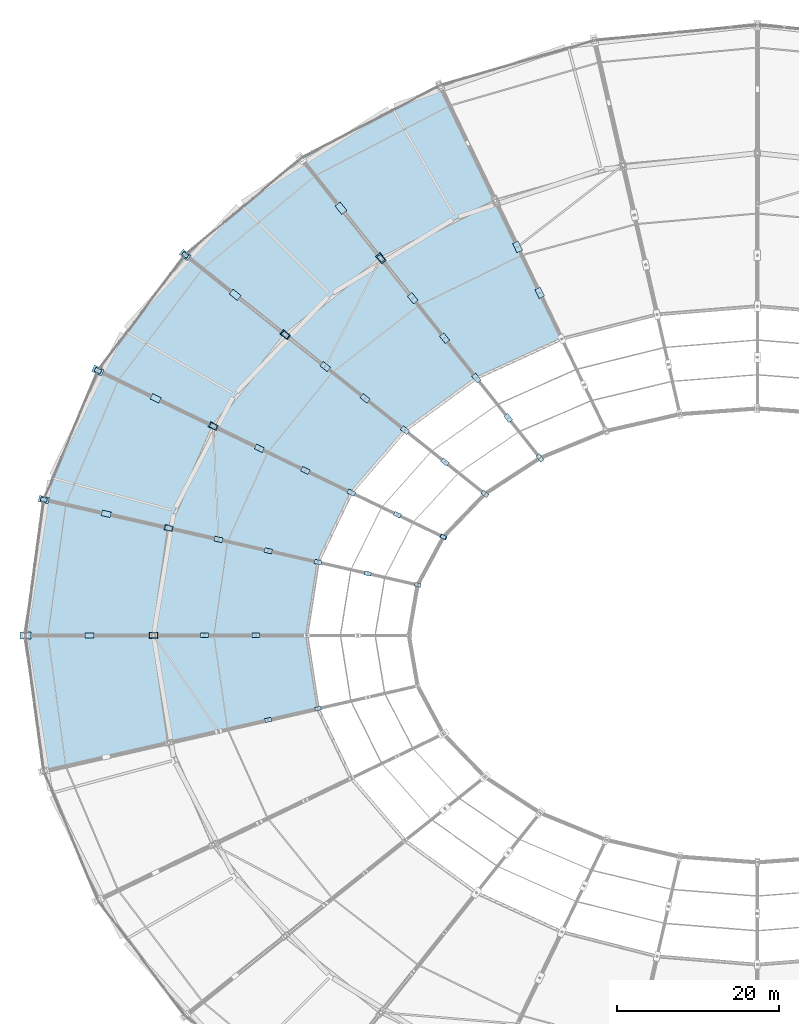
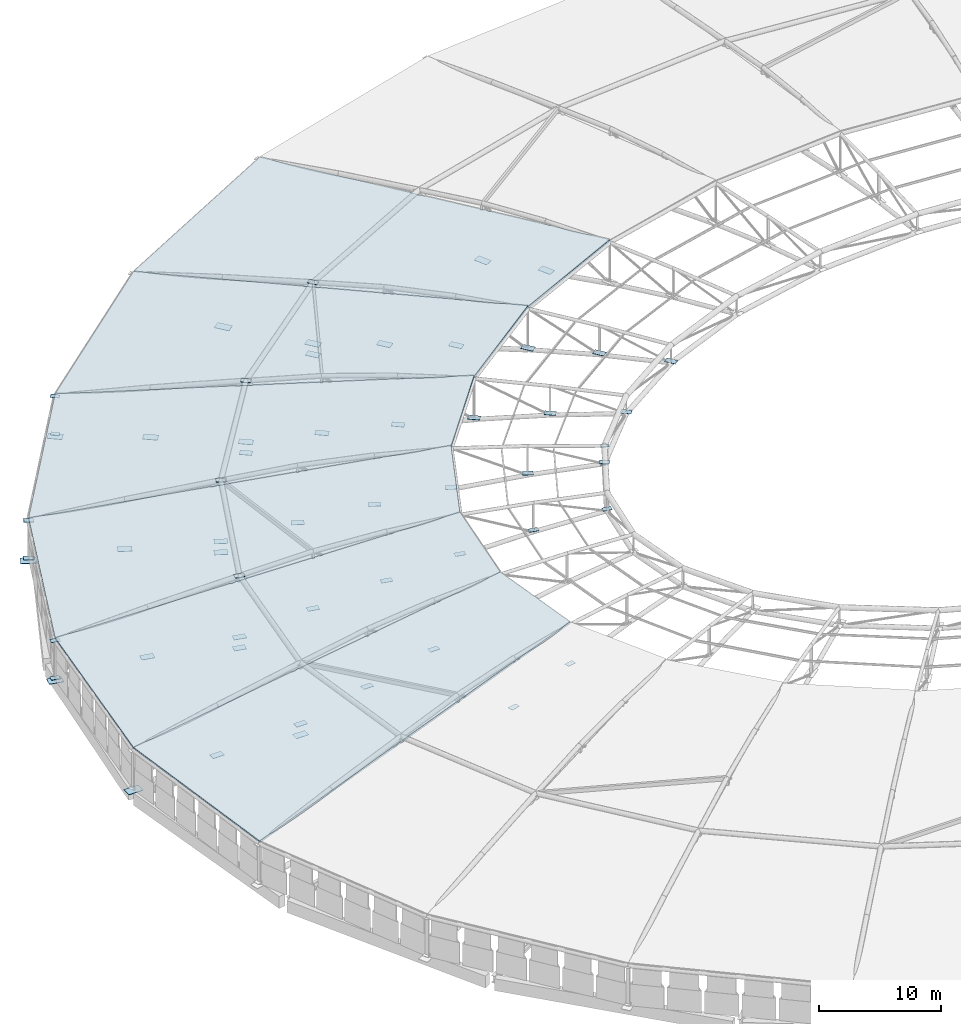
# One storey, part 92 of 108: 60 plates, 6 slabs.
"""IFC4 building model written with IfcOpenShell, lengths in metres."""

from ifc_helpers import new_model, si_unit, direction, frame, origin, origin_2d, place, context, subcontext, project, spatial, polyline, rectangle, outline, extrude, material, layer, layer_set, type_object, element, save


model = new_model("IFC4")

# Units and contexts
model_context = context("Model", 3, precision=1e-05, world=origin(), true_north=direction((0.0, 1.0)))
body_context = subcontext(model_context, "Body", "Model", "MODEL_VIEW")
ifc_project = project(units=[si_unit("LENGTHUNIT", "METRE"), si_unit("AREAUNIT", "SQUARE_METRE"), si_unit("VOLUMEUNIT", "CUBIC_METRE"), si_unit("PLANEANGLEUNIT", "RADIAN"), si_unit("MASSUNIT", "GRAM", prefix="KILO")], contexts=[model_context])

# Site, building, storey
site_placement = place(None, origin())
site = spatial("IfcSite", under=ifc_project, at=site_placement, CompositionType="ELEMENT")
building_placement = place(site_placement, origin())
building = spatial("IfcBuilding", under=site, at=building_placement, Name="Zevraka Park Crest Stadium", CompositionType="ELEMENT")
storey_placement = place(building_placement, frame((0.0, 0.0, 29.39990234375)))
storey = spatial("IfcBuildingStorey", under=building, at=storey_placement, Name="RF", CompositionType="ELEMENT", Elevation=29.39990234375)

# Plates
ifc_material_1 = material(Name="Steel S355", Category="steel")
ifc_layer_1 = layer(ifc_material_1, 0.035888671875)
ifc_layer_set_1 = layer_set([ifc_layer_1], Name="Steel S355")
plate_type_1 = type_object("IfcPlateType", Name="BP01", PredefinedType="SHEET", material=ifc_layer_set_1)
for number, where, z_axis, x_axis, name in (
    (1, (30.64306640625, 124.6708984375, -0.03369140625), (0.0, 0.0, 1.0), (-0.90100131981, 0.43381634559, 0.0), "TN1 Roof Truss Heel Base Plate BP01 T13"),
    (2, (21.699951171875, 92.0, -0.03369140625), (0.0, 0.0, 1.0), (1.0, 0.0, 0.0), "TN1 Roof Truss Heel Base Plate BP01 T15"),
):
    element("IfcPlate", number, at=place(storey_placement, frame(where, z_axis=z_axis, x_axis=x_axis)), inside=storey, type_object=plate_type_1, Name=name, PredefinedType="SHEET", context=body_context, shape_type="SweptSolid", body=[
        extrude(rectangle(XDim=1.35009765625, YDim=0.85009765625, at=origin_2d()), origin(), (0.0, 0.0, 1.0), 0.035888671875),
    ])
ifc_material_2 = material(Name="Steel S355", Category="steel")
ifc_layer_2 = layer(ifc_material_2, 0.034912109375)
ifc_layer_set_2 = layer_set([ifc_layer_2], Name="Steel S355")
plate_type_2 = type_object("IfcPlateType", Name="BP02", PredefinedType="SHEET", material=ifc_layer_set_2)
for number, where, z_axis, x_axis, name in (
    (3, (41.40087890625, 138.948974609375, -0.03271484375), (0.0, 0.0, 1.0), (-0.781847027868, 0.623470308046, 0.0), "TN1 Roof Truss Heel Base Plate BP02 T12"),
    (4, (23.964111328125, 108.756103515625, -0.03271484375), (0.0, 0.0, 1.0), (-0.974916814618, 0.222569549971, 0.0), "TN1 Roof Truss Heel Base Plate BP02 T14"),
):
    element("IfcPlate", number, at=place(storey_placement, frame(where, z_axis=z_axis, x_axis=x_axis)), inside=storey, type_object=plate_type_2, Name=name, PredefinedType="SHEET", context=body_context, shape_type="SweptSolid", body=[
        extrude(rectangle(XDim=1.25, YDim=0.800048828125, at=origin_2d()), origin(), (0.0, 0.0, 1.0), 0.034912109375),
    ])
ifc_material_3 = material(Name="Steel S355", Category="steel")
ifc_layer_3 = layer(ifc_material_3, 0.031982421875)
ifc_layer_set_3 = layer_set([ifc_layer_3], Name="Steel S355")
plate_type_3 = type_object("IfcPlateType", Name="BP03", PredefinedType="SHEET", material=ifc_layer_set_3)
for number, where, z_axis, x_axis, name in (
    (5, (65.550048828125, 138.51904296875, -0.02978515625), (0.0, 0.0, 1.0), (-0.623470308046, 0.781847027868, 0.0), "TN2 Roof Truss Heel Base Plate BP03 T11"),
    (6, (44.8779296875, 117.81591796875, -0.02978515625), (0.0, 0.0, 1.0), (-0.90100131981, 0.43381634559, 0.0), "TN2 Roof Truss Heel Base Plate BP03 T13"),
    (7, (37.5, 92.0, -0.02978515625), (0.0, 0.0, 1.0), (1.0, 0.0, 0.0), "TN2 Roof Truss Heel Base Plate BP03 T15"),
):
    element("IfcPlate", number, at=place(storey_placement, frame(where, z_axis=z_axis, x_axis=x_axis)), inside=storey, type_object=plate_type_3, Name=name, PredefinedType="SHEET", context=body_context, shape_type="SweptSolid", body=[
        extrude(rectangle(XDim=1.14990234375, YDim=0.719970703125, at=origin_2d()), origin(), (0.0, 0.0, 1.0), 0.031982421875),
    ])
ifc_material_4 = material(Name="Steel S355", Category="steel")
ifc_layer_4 = layer(ifc_material_4, 0.030029296875)
ifc_layer_set_4 = layer_set([ifc_layer_4], Name="Steel S355")
plate_type_4 = type_object("IfcPlateType", Name="BP04", PredefinedType="SHEET", material=ifc_layer_set_4)
for number, where, z_axis, x_axis, name in (
    (8, (53.75390625, 129.097900390625, -0.02783203125), (0.0, 0.0, 1.0), (-0.781847027868, 0.623470308046, 0.0), "TN2 Roof Truss Heel Base Plate BP04 T12"),
    (9, (39.367919921875, 105.239990234375, -0.02783203125), (0.0, 0.0, 1.0), (-0.974916814618, 0.222569549971, 0.0), "TN2 Roof Truss Heel Base Plate BP04 T14"),
):
    element("IfcPlate", number, at=place(storey_placement, frame(where, z_axis=z_axis, x_axis=x_axis)), inside=storey, type_object=plate_type_4, Name=name, PredefinedType="SHEET", context=body_context, shape_type="SweptSolid", body=[
        extrude(rectangle(XDim=1.050048828125, YDim=0.659912109375, at=origin_2d()), origin(), (0.0, 0.0, 1.0), 0.030029296875),
    ])
ifc_material_5 = material(Name="Steel S355", Category="steel")
ifc_layer_5 = layer(ifc_material_5, 0.02490234375)
ifc_layer_set_5 = layer_set([ifc_layer_5], Name="Steel S355")
plate_type_5 = type_object("IfcPlateType", Name="EC01", PredefinedType="SHEET", material=ifc_layer_set_5)
for number, where, z_axis, x_axis, name in (
    (10, (65.550048828125, 138.51904296875, 7.1982421875), (0.0, 0.0, 1.0), (-0.623470308046, 0.781847027868, 0.0), "Hollow Strut Top Closure Cap Plate EC01 T11-2"),
    (11, (53.75390625, 129.097900390625, 7.1982421875), (0.0, 0.0, 1.0), (-0.781847027868, 0.623470308046, 0.0), "Hollow Strut Top Closure Cap Plate EC01 T12-2"),
    (12, (44.8779296875, 117.81591796875, 7.1982421875), (0.0, 0.0, 1.0), (-0.90100131981, 0.43381634559, 0.0), "Hollow Strut Top Closure Cap Plate EC01 T13-2"),
    (13, (30.64306640625, 124.6708984375, 0.237548828125), (0.0, 0.0, 1.0), (-0.90100131981, 0.43381634559, 0.0), "TN5 Hollow Chord End Cap Plate EC01 T13-HEEL-B"),
    (14, (30.64306640625, 124.6708984375, 3.987548828125), (0.0, 0.0, 1.0), (-0.90100131981, 0.43381634559, 0.0), "TN5 Hollow Chord End Cap Plate EC01 T13-HEEL-T"),
    (15, (39.367919921875, 105.239990234375, 7.1982421875), (0.0, 0.0, 1.0), (-0.974916814618, 0.222569549971, 0.0), "Hollow Strut Top Closure Cap Plate EC01 T14-2"),
):
    element("IfcPlate", number, at=place(storey_placement, frame(where, z_axis=z_axis, x_axis=x_axis)), inside=storey, type_object=plate_type_5, Name=name, PredefinedType="SHEET", context=body_context, shape_type="SweptSolid", body=[
        extrude(rectangle(XDim=0.840087890625, YDim=0.5400390625, at=origin_2d()), origin(), (0.0, 0.0, 1.0), 0.02490234375),
    ])
ifc_material_6 = material(Name="Steel S355", Category="steel")
ifc_layer_6 = layer(ifc_material_6, 0.02490234375)
ifc_layer_set_6 = layer_set([ifc_layer_6], Name="Steel S355")
plate_type_6 = type_object("IfcPlateType", Name="EC02", PredefinedType="SHEET", material=ifc_layer_set_6)
for number, where, z_axis, x_axis, name in (
    (16, (41.40087890625, 138.948974609375, 3.998046875), (0.0, 0.0, 1.0), (-0.781847027868, 0.623470308046, 0.0), "Hollow Strut Top Closure Cap Plate EC02 T12-0"),
    (17, (30.64306640625, 124.6708984375, 3.998046875), (0.0, 0.0, 1.0), (-0.90100131981, 0.43381634559, 0.0), "Hollow Strut Top Closure Cap Plate EC02 T13-0"),
    (18, (23.964111328125, 108.756103515625, 3.998046875), (0.0, 0.0, 1.0), (-0.974916814618, 0.222569549971, 0.0), "Hollow Strut Top Closure Cap Plate EC02 T14-0"),
    (19, (23.964111328125, 108.756103515625, 0.237548828125), (0.0, 0.0, 1.0), (-0.974916814618, 0.222569549971, 0.0), "TN5 Hollow Chord End Cap Plate EC02 T14-HEEL-B"),
    (20, (23.964111328125, 108.756103515625, 3.987548828125), (0.0, 0.0, 1.0), (-0.974916814618, 0.222569549971, 0.0), "TN5 Hollow Chord End Cap Plate EC02 T14-HEEL-T"),
):
    element("IfcPlate", number, at=place(storey_placement, frame(where, z_axis=z_axis, x_axis=x_axis)), inside=storey, type_object=plate_type_6, Name=name, PredefinedType="SHEET", context=body_context, shape_type="SweptSolid", body=[
        extrude(rectangle(XDim=0.780029296875, YDim=0.5, at=origin_2d()), origin(), (0.0, 0.0, 1.0), 0.02490234375),
    ])
ifc_material_7 = material(Name="Steel S355", Category="steel")
ifc_layer_7 = layer(ifc_material_7, 0.02197265625)
ifc_layer_set_7 = layer_set([ifc_layer_7], Name="Steel S355")
plate_type_7 = type_object("IfcPlateType", Name="EC03", PredefinedType="SHEET", material=ifc_layer_set_7)
for number, where, z_axis, x_axis, name in (
    (21, (41.40087890625, 138.948974609375, 0.239013671875), (0.0, 0.0, 1.0), (-0.781847027868, 0.623470308046, 0.0), "TN5 Hollow Chord End Cap Plate EC03 T12-HEEL-B"),
    (22, (41.40087890625, 138.948974609375, 3.989013671875), (0.0, 0.0, 1.0), (-0.781847027868, 0.623470308046, 0.0), "TN5 Hollow Chord End Cap Plate EC03 T12-HEEL-T"),
):
    element("IfcPlate", number, at=place(storey_placement, frame(where, z_axis=z_axis, x_axis=x_axis)), inside=storey, type_object=plate_type_7, Name=name, PredefinedType="SHEET", context=body_context, shape_type="SweptSolid", body=[
        extrude(rectangle(XDim=0.719970703125, YDim=0.4599609375, at=origin_2d()), origin(), (0.0, 0.0, 1.0), 0.02197265625),
    ])
ifc_material_8 = material(Name="Steel S355", Category="steel")
ifc_layer_8 = layer(ifc_material_8, 0.02001953125)
ifc_layer_set_8 = layer_set([ifc_layer_8], Name="Steel S355")
plate_type_8 = type_object("IfcPlateType", Name="EC04", PredefinedType="SHEET", material=ifc_layer_set_8)
for number, where, z_axis, x_axis, name in (
    (23, (73.258056640625, 104.14892578125, 7.190185546875), (0.0, 0.0, 1.0), (-0.90100131981, 0.43381634559, 0.0), "TN5 Hollow Chord End Cap Plate EC04 T13-TIP-B"),
    (24, (73.258056640625, 104.14892578125, 8.989990234375), (0.0, 0.0, 1.0), (-0.90100131981, 0.43381634559, 0.0), "TN5 Hollow Chord End Cap Plate EC04 T13-TIP-T"),
):
    element("IfcPlate", number, at=place(storey_placement, frame(where, z_axis=z_axis, x_axis=x_axis)), inside=storey, type_object=plate_type_8, Name=name, PredefinedType="SHEET", context=body_context, shape_type="SweptSolid", body=[
        extrude(rectangle(XDim=0.659912109375, YDim=0.419921875, at=origin_2d()), origin(), (0.0, 0.0, 1.0), 0.02001953125),
    ])
ifc_material_9 = material(Name="Steel S355", Category="steel")
ifc_layer_9 = layer(ifc_material_9, 0.031982421875)
ifc_layer_set_9 = layer_set([ifc_layer_9], Name="Steel S355")
plate_type_9 = type_object("IfcPlateType", Name="GP01", PredefinedType="USERDEFINED", material=ifc_layer_set_9)
for number, where, z_axis, x_axis, name in (
    (25, (85.14306640625, 134.2548828125, 4.1142578125), (0.0, 0.0, 1.0), (-0.43381634559, 0.90100131981, 0.0), "TN4 Truss Node Gusset Plate GP01 T10-4"),
    (26, (69.47802734375, 133.593017578125, 2.6142578125), (0.0, 0.0, 1.0), (-0.623470308046, 0.781847027868, 0.0), "TN3 Truss Node Gusset Plate GP01 T11-3"),
    (27, (53.75390625, 129.097900390625, 1.06396484375), (0.0, 0.0, 1.0), (-0.781847027868, 0.623470308046, 0.0), "TN2 Truss Node Gusset Plate GP01 T12-2"),
    (28, (37.760009765625, 121.243896484375, 0.7138671875), (0.0, 0.0, 1.0), (-0.90100131981, 0.43381634559, 0.0), "TN1 Truss Node Gusset Plate GP01 T13-1"),
):
    element("IfcPlate", number, at=place(storey_placement, frame(where, z_axis=z_axis, x_axis=x_axis)), inside=storey, type_object=plate_type_9, Name=name, ObjectType="GUSSET PLATE", PredefinedType="USERDEFINED", context=body_context, shape_type="SweptSolid", body=[
        extrude(rectangle(XDim=1.199951171875, YDim=0.719970703125, at=origin_2d()), origin(), (0.0, 0.0, 1.0), 0.031982421875),
    ])
ifc_material_10 = material(Name="Steel S355", Category="steel")
ifc_layer_10 = layer(ifc_material_10, 0.030029296875)
ifc_layer_set_10 = layer_set([ifc_layer_10], Name="Steel S355")
plate_type_10 = type_object("IfcPlateType", Name="GP02", PredefinedType="USERDEFINED", material=ifc_layer_set_10)
for number, where, z_axis, x_axis, name in (
    (29, (73.406005859375, 128.66796875, 4.115234375), (0.0, 0.0, 1.0), (-0.623470308046, 0.781847027868, 0.0), "TN4 Truss Node Gusset Plate GP02 T11-4"),
    (30, (58.678955078125, 125.169921875, 2.615234375), (0.0, 0.0, 1.0), (-0.781847027868, 0.623470308046, 0.0), "TN3 Truss Node Gusset Plate GP02 T12-3"),
    (31, (44.8779296875, 117.81591796875, 1.06494140625), (0.0, 0.0, 1.0), (-0.90100131981, 0.43381634559, 0.0), "TN2 Truss Node Gusset Plate GP02 T13-2"),
    (32, (31.666015625, 106.998046875, 0.71484375), (0.0, 0.0, 1.0), (-0.974916814618, 0.222569549971, 0.0), "TN1 Truss Node Gusset Plate GP02 T14-1"),
):
    element("IfcPlate", number, at=place(storey_placement, frame(where, z_axis=z_axis, x_axis=x_axis)), inside=storey, type_object=plate_type_10, Name=name, ObjectType="GUSSET PLATE", PredefinedType="USERDEFINED", context=body_context, shape_type="SweptSolid", body=[
        extrude(rectangle(XDim=1.139892578125, YDim=0.679931640625, at=origin_2d()), origin(), (0.0, 0.0, 1.0), 0.030029296875),
    ])
ifc_material_11 = material(Name="Steel S355", Category="steel")
ifc_layer_11 = layer(ifc_material_11, 0.028076171875)
ifc_layer_set_11 = layer_set([ifc_layer_11], Name="Steel S355")
plate_type_11 = type_object("IfcPlateType", Name="GP03", PredefinedType="USERDEFINED", material=ifc_layer_set_11)
for number, where, z_axis, x_axis, name in (
    (33, (77.333984375, 123.741943359375, 5.4658203125), (0.0, 0.0, 1.0), (-0.623470308046, 0.781847027868, 0.0), "TN5 Truss Node Gusset Plate GP03 T11-5"),
    (34, (63.60498046875, 121.241943359375, 4.1162109375), (0.0, 0.0, 1.0), (-0.781847027868, 0.623470308046, 0.0), "TN4 Truss Node Gusset Plate GP03 T12-4"),
    (35, (50.553955078125, 115.0830078125, 2.6162109375), (0.0, 0.0, 1.0), (-0.90100131981, 0.43381634559, 0.0), "TN3 Truss Node Gusset Plate GP03 T13-3"),
    (36, (39.367919921875, 105.239990234375, 1.06591796875), (0.0, 0.0, 1.0), (-0.974916814618, 0.222569549971, 0.0), "TN2 Truss Node Gusset Plate GP03 T14-2"),
    (37, (29.60009765625, 92.0, 0.7158203125), (0.0, 0.0, 1.0), (1.0, 0.0, 0.0), "TN1 Truss Node Gusset Plate GP03 T15-1"),
):
    element("IfcPlate", number, at=place(storey_placement, frame(where, z_axis=z_axis, x_axis=x_axis)), inside=storey, type_object=plate_type_11, Name=name, ObjectType="GUSSET PLATE", PredefinedType="USERDEFINED", context=body_context, shape_type="SweptSolid", body=[
        extrude(rectangle(XDim=1.080078125, YDim=0.639892578125, at=origin_2d()), origin(), (0.0, 0.0, 1.0), 0.028076171875),
    ])
ifc_material_12 = material(Name="Steel S355", Category="steel")
ifc_layer_12 = layer(ifc_material_12, 0.028076171875)
ifc_layer_set_12 = layer_set([ifc_layer_12], Name="Steel S355")
plate_type_12 = type_object("IfcPlateType", Name="GP04", PredefinedType="USERDEFINED", material=ifc_layer_set_12)
for number, where, z_axis, x_axis, name in (
    (38, (81.261962890625, 118.81689453125, 6.56591796875), (0.0, 0.0, 1.0), (-0.623470308046, 0.781847027868, 0.0), "TN6 Truss Node Gusset Plate GP04 T11-6"),
    (39, (68.530029296875, 117.31396484375, 5.4658203125), (0.0, 0.0, 1.0), (-0.781847027868, 0.623470308046, 0.0), "TN5 Truss Node Gusset Plate GP04 T12-5"),
    (40, (56.22998046875, 112.34912109375, 4.1162109375), (0.0, 0.0, 1.0), (-0.90100131981, 0.43381634559, 0.0), "TN4 Truss Node Gusset Plate GP04 T13-4"),
    (41, (45.510009765625, 103.837890625, 2.6162109375), (0.0, 0.0, 1.0), (-0.974916814618, 0.222569549971, 0.0), "TN3 Truss Node Gusset Plate GP04 T14-3"),
    (42, (37.5, 92.0, 1.06591796875), (0.0, 0.0, 1.0), (1.0, 0.0, 0.0), "TN2 Truss Node Gusset Plate GP04 T15-2"),
):
    element("IfcPlate", number, at=place(storey_placement, frame(where, z_axis=z_axis, x_axis=x_axis)), inside=storey, type_object=plate_type_12, Name=name, ObjectType="GUSSET PLATE", PredefinedType="USERDEFINED", context=body_context, shape_type="SweptSolid", body=[
        extrude(rectangle(XDim=1.02001953125, YDim=0.60009765625, at=origin_2d()), origin(), (0.0, 0.0, 1.0), 0.028076171875),
    ])
ifc_material_13 = material(Name="Steel S355", Category="steel")
ifc_layer_13 = layer(ifc_material_13, 0.02490234375)
ifc_layer_set_13 = layer_set([ifc_layer_13], Name="Steel S355")
plate_type_13 = type_object("IfcPlateType", Name="GP05", PredefinedType="USERDEFINED", material=ifc_layer_set_13)
for number, where, z_axis, x_axis, name in (
    (43, (85.18994140625, 113.89111328125, 7.36767578125), (0.0, 0.0, 1.0), (-0.623470308046, 0.781847027868, 0.0), "TN6 Truss Node Gusset Plate GP05 T11-7"),
    (44, (73.4560546875, 113.385986328125, 6.567626953125), (0.0, 0.0, 1.0), (-0.781847027868, 0.623470308046, 0.0), "TN6 Truss Node Gusset Plate GP05 T12-6"),
    (45, (61.906005859375, 109.615966796875, 5.467529296875), (0.0, 0.0, 1.0), (-0.90100131981, 0.43381634559, 0.0), "TN5 Truss Node Gusset Plate GP05 T13-5"),
    (46, (51.652099609375, 102.43603515625, 4.11767578125), (0.0, 0.0, 1.0), (-0.974916814618, 0.222569549971, 0.0), "TN4 Truss Node Gusset Plate GP05 T14-4"),
    (47, (43.800048828125, 92.0, 2.61767578125), (0.0, 0.0, 1.0), (1.0, 0.0, 0.0), "TN3 Truss Node Gusset Plate GP05 T15-3"),
):
    element("IfcPlate", number, at=place(storey_placement, frame(where, z_axis=z_axis, x_axis=x_axis)), inside=storey, type_object=plate_type_13, Name=name, ObjectType="GUSSET PLATE", PredefinedType="USERDEFINED", context=body_context, shape_type="SweptSolid", body=[
        extrude(rectangle(XDim=0.9599609375, YDim=0.56005859375, at=origin_2d()), origin(), (0.0, 0.0, 1.0), 0.02490234375),
    ])
ifc_material_14 = material(Name="Steel S355", Category="steel")
ifc_layer_14 = layer(ifc_material_14, 0.02490234375)
ifc_layer_set_14 = layer_set([ifc_layer_14], Name="Steel S355")
plate_type_14 = type_object("IfcPlateType", Name="GP06", PredefinedType="USERDEFINED", material=ifc_layer_set_14)
for number, where, z_axis, x_axis, name in (
    (48, (78.381103515625, 109.4580078125, 7.36767578125), (0.0, 0.0, 1.0), (-0.781847027868, 0.623470308046, 0.0), "TN6 Truss Node Gusset Plate GP06 T12-7"),
    (49, (67.58203125, 106.882080078125, 6.567626953125), (0.0, 0.0, 1.0), (-0.90100131981, 0.43381634559, 0.0), "TN6 Truss Node Gusset Plate GP06 T13-6"),
    (50, (57.7939453125, 101.033935546875, 5.467529296875), (0.0, 0.0, 1.0), (-0.974916814618, 0.222569549971, 0.0), "TN5 Truss Node Gusset Plate GP06 T14-5"),
    (51, (50.10009765625, 92.0, 4.11767578125), (0.0, 0.0, 1.0), (1.0, 0.0, 0.0), "TN4 Truss Node Gusset Plate GP06 T15-4"),
):
    element("IfcPlate", number, at=place(storey_placement, frame(where, z_axis=z_axis, x_axis=x_axis)), inside=storey, type_object=plate_type_14, Name=name, ObjectType="GUSSET PLATE", PredefinedType="USERDEFINED", context=body_context, shape_type="SweptSolid", body=[
        extrude(rectangle(XDim=0.89990234375, YDim=0.5400390625, at=origin_2d()), origin(), (0.0, 0.0, 1.0), 0.02490234375),
    ])
ifc_material_15 = material(Name="Steel S355", Category="steel")
ifc_layer_15 = layer(ifc_material_15, 0.02392578125)
ifc_layer_set_15 = layer_set([ifc_layer_15], Name="Steel S355")
plate_type_15 = type_object("IfcPlateType", Name="GP07", PredefinedType="USERDEFINED", material=ifc_layer_set_15)
for number, where, z_axis, x_axis, name in (
    (52, (73.258056640625, 104.14892578125, 7.3681640625), (0.0, 0.0, 1.0), (-0.90100131981, 0.43381634559, 0.0), "TN6 Truss Node Gusset Plate GP07 T13-7"),
    (53, (63.93603515625, 99.632080078125, 6.568115234375), (0.0, 0.0, 1.0), (-0.974916814618, 0.222569549971, 0.0), "TN6 Truss Node Gusset Plate GP07 T14-6"),
    (54, (51.652099609375, 81.56396484375, 4.1181640625), (0.0, 0.0, 1.0), (0.974916814618, 0.222569549971, 0.0), "TN4 Truss Node Gusset Plate GP07 T16-4"),
):
    element("IfcPlate", number, at=place(storey_placement, frame(where, z_axis=z_axis, x_axis=x_axis)), inside=storey, type_object=plate_type_15, Name=name, ObjectType="GUSSET PLATE", PredefinedType="USERDEFINED", context=body_context, shape_type="SweptSolid", body=[
        extrude(rectangle(XDim=0.840087890625, YDim=0.5, at=origin_2d()), origin(), (0.0, 0.0, 1.0), 0.02392578125),
    ])
ifc_material_16 = material(Name="Steel S355", Category="steel")
ifc_layer_16 = layer(ifc_material_16, 0.02197265625)
ifc_layer_set_16 = layer_set([ifc_layer_16], Name="Steel S355")
plate_type_16 = type_object("IfcPlateType", Name="GP08", PredefinedType="USERDEFINED", material=ifc_layer_set_16)
for number, where, z_axis, x_axis, name in (
    (55, (70.077880859375, 98.23095703125, 7.369140625), (0.0, 0.0, 1.0), (-0.974916814618, 0.222569549971, 0.0), "TN6 Truss Node Gusset Plate GP08 T14-7"),
    (56, (57.7939453125, 82.966064453125, 5.468994140625), (0.0, 0.0, 1.0), (0.974916814618, 0.222569549971, 0.0), "TN5 Truss Node Gusset Plate GP08 T16-5"),
):
    element("IfcPlate", number, at=place(storey_placement, frame(where, z_axis=z_axis, x_axis=x_axis)), inside=storey, type_object=plate_type_16, Name=name, ObjectType="GUSSET PLATE", PredefinedType="USERDEFINED", context=body_context, shape_type="SweptSolid", body=[
        extrude(rectangle(XDim=0.780029296875, YDim=0.47998046875, at=origin_2d()), origin(), (0.0, 0.0, 1.0), 0.02197265625),
    ])
ifc_material_17 = material(Name="Steel S355", Category="steel")
ifc_layer_17 = layer(ifc_material_17, 0.034912109375)
ifc_layer_set_17 = layer_set([ifc_layer_17], Name="Steel S355")
plate_type_17 = type_object("IfcPlateType", Name="GP11", PredefinedType="USERDEFINED", material=ifc_layer_set_17)
plate_placement = place(storey_placement, frame((60.6240234375, 144.695068359375, 0.71240234375), z_axis=(0.0, 0.0, 1.0), x_axis=(-0.623470308046, 0.781847027868, 0.0)))
element("IfcPlate", 57, at=plate_placement, inside=storey, type_object=plate_type_17, Name="TN1 Truss Node Gusset Plate GP11 T11-1", ObjectType="GUSSET PLATE", PredefinedType="USERDEFINED", context=body_context, shape_type="SweptSolid", body=[
    extrude(rectangle(XDim=1.320068359375, YDim=0.800048828125, at=origin_2d()), origin(), (0.0, 0.0, 1.0), 0.034912109375),
])
ifc_material_18 = material(Name="Steel S355", Category="steel")
ifc_layer_18 = layer(ifc_material_18, 0.031982421875)
ifc_layer_set_18 = layer_set([ifc_layer_18], Name="Steel S355")
plate_type_18 = type_object("IfcPlateType", Name="GP12", PredefinedType="USERDEFINED", material=ifc_layer_set_18)
for number, where, z_axis, x_axis, name in (
    (58, (82.408935546875, 139.931884765625, 2.6142578125), (0.0, 0.0, 1.0), (-0.43381634559, 0.90100131981, 0.0), "TN3 Truss Node Gusset Plate GP12 T10-3"),
    (59, (65.550048828125, 138.51904296875, 1.06396484375), (0.0, 0.0, 1.0), (-0.623470308046, 0.781847027868, 0.0), "TN2 Truss Node Gusset Plate GP12 T11-2"),
    (60, (47.576904296875, 134.02294921875, 0.7138671875), (0.0, 0.0, 1.0), (-0.781847027868, 0.623470308046, 0.0), "TN1 Truss Node Gusset Plate GP12 T12-1"),
):
    element("IfcPlate", number, at=place(storey_placement, frame(where, z_axis=z_axis, x_axis=x_axis)), inside=storey, type_object=plate_type_18, Name=name, ObjectType="GUSSET PLATE", PredefinedType="USERDEFINED", context=body_context, shape_type="SweptSolid", body=[
        extrude(rectangle(XDim=1.260009765625, YDim=0.760009765625, at=origin_2d()), origin(), (0.0, 0.0, 1.0), 0.031982421875),
    ])

# Slabs
ifc_material_19 = material(Name="Concrete C35/45", Category="concrete")
ifc_layer_19 = layer(ifc_material_19, 0.179931640625)
ifc_layer_set_19 = layer_set([ifc_layer_19], Name="Concrete C35/45")
slab_type = type_object("IfcSlabType", Name="RS01", PredefinedType="ROOF", material=ifc_layer_set_19)
slab_1_placement = place(storey_placement, frame((72.820068359375, 159.843017578125, 4.239990234375), z_axis=(-0.072029366574, 0.137456281967, 0.987885388544), x_axis=(-0.885772532336, -0.464119619202, -5.544357e-06)))
element("IfcSlab", 61, at=slab_1_placement, inside=storey, type_object=slab_type, Name="Canopy Arched Roof Deck Slab RS01 OUTER-10", PredefinedType="ROOF", context=body_context, shape_type="SweptSolid", body=[
    extrude(outline(polyline([(0.0, 0.0), (19.328987196103824, 0.0), (12.756884324253756, 34.49017194523897), (1.1740566545985294, 35.10577004043294), (0.0, 0.0)])), origin(), (0.0, 0.0, -1.0), 0.179931640625),
])
slab_2_placement = place(storey_placement, frame((55.698974609375, 150.8720703125, 4.239990234375), z_axis=(-0.099486559587, 0.119302637189, 0.987860974642), x_axis=(-0.768009420077, -0.640438545587, -6.14953e-07)))
element("IfcSlab", 62, at=slab_2_placement, inside=storey, type_object=slab_type, Name="Canopy Arched Roof Deck Slab RS01 OUTER-11", PredefinedType="ROOF", context=body_context, shape_type="SweptSolid", body=[
    extrude(outline(polyline([(0.0, 0.0), (18.61708226015734, 0.0), (11.637530102621575, 34.408124214685195), (0.7592843892196728, 35.11839210854258), (0.0, 0.0)])), origin(), (0.0, 0.0, -1.0), 0.179931640625),
])
slab_3_placement = place(storey_placement, frame((41.40087890625, 138.948974609375, 4.239990234375), z_axis=(-0.124011191894, 0.093432610331, 0.98787224458), x_axis=(-0.601761519899, -0.798675824826, -2.830524e-06)))
element("IfcSlab", 63, at=slab_3_placement, inside=storey, type_object=slab_type, Name="Canopy Arched Roof Deck Slab RS01 OUTER-12", PredefinedType="ROOF", context=body_context, shape_type="SweptSolid", body=[
    extrude(outline(polyline([(0.0, 0.0), (17.877191864283304, 0.0), (11.08835270950488, 34.44617938563021), (0.954065065311511, 35.112354930802496), (0.0, 0.0)])), origin(), (0.0, 0.0, -1.0), 0.179931640625),
])
slab_4_placement = place(storey_placement, frame((30.64306640625, 124.6708984375, 4.239990234375), z_axis=(-0.142925899386, 0.059986393758, 0.987913872688), x_axis=(-0.386974092071, -0.922090587766, 4.321156e-06)))
element("IfcSlab", 64, at=slab_4_placement, inside=storey, type_object=slab_type, Name="Canopy Arched Roof Deck Slab RS01 OUTER-13", PredefinedType="ROOF", context=body_context, shape_type="SweptSolid", body=[
    extrude(outline(polyline([(0.0, 0.0), (17.25946518103185, 0.0), (11.288757466710964, 34.60065000399578), (1.78408664910266, 35.07706488870286), (0.0, 0.0)])), origin(), (0.0, 0.0, -1.0), 0.179931640625),
])
slab_5_placement = place(storey_placement, frame((23.964111328125, 108.756103515625, 4.239990234375), z_axis=(-0.153365817125, 0.020725497664, 0.987952114166), x_axis=(-0.133907855056, -0.990993787241, 1.975614e-06)))
element("IfcSlab", 65, at=slab_5_placement, inside=storey, type_object=slab_type, Name="Canopy Arched Roof Deck Slab RS01 OUTER-14", PredefinedType="ROOF", context=body_context, shape_type="SweptSolid", body=[
    extrude(outline(polyline([(0.0, 0.0), (16.908383312379314, 4.440892098500626e-16), (12.261797922484877, 34.80678948761847), (3.1225506704503374, 34.980651919013795), (0.0, 0.0)])), origin(), (0.0, 0.0, -1.0), 0.179931640625),
])
slab_6_placement = place(storey_placement, frame((21.699951171875, 92.0, 4.239990234375), z_axis=(-0.153365817125, -0.020725497664, 0.987952114166), x_axis=(0.133907855056, -0.990993787241, -1.975614e-06)))
element("IfcSlab", 66, at=slab_6_placement, inside=storey, type_object=slab_type, Name="Canopy Arched Roof Deck Slab RS01 OUTER-15", PredefinedType="ROOF", context=body_context, shape_type="SweptSolid", body=[
    extrude(outline(polyline([(0.0, 0.0), (16.908383312379314, -4.440892098500626e-16), (13.785832641928979, 34.980651919013795), (4.6465853898944385, 34.80678948761847), (0.0, 0.0)])), origin(), (0.0, 0.0, -1.0), 0.179931640625),
])

save(model, "model.ifc")
